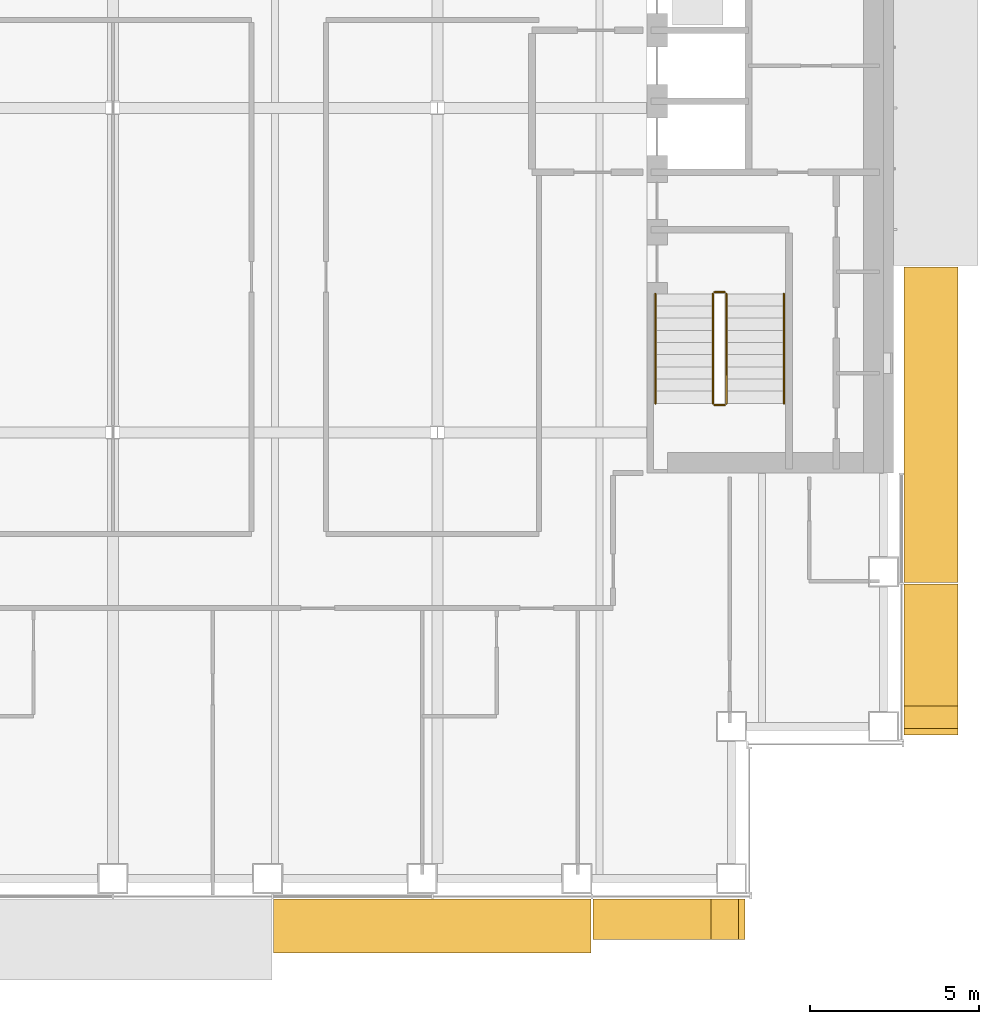
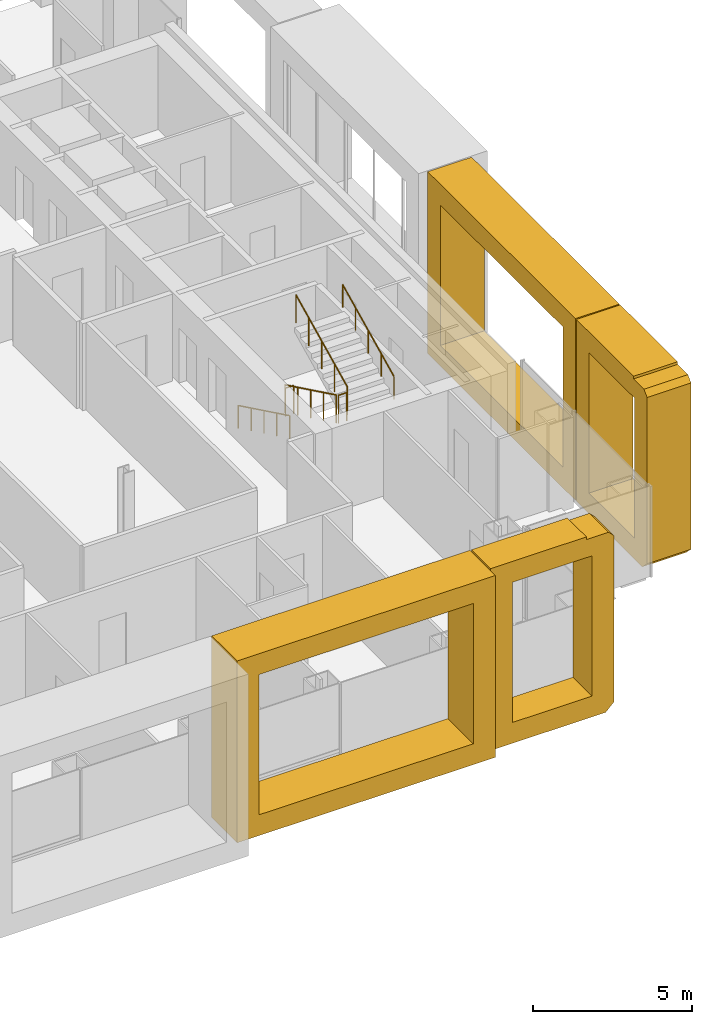
# One storey, part 17 of 20: 6 railings, 4 coverings.
"""IFC4 building model written with IfcOpenShell, lengths in metres."""

from ifc_helpers import new_model, si_unit, direction, frame, origin, origin_2d, place, context, subcontext, project, spatial, polyline, circle, outline, extrude, material, type_object, element, save


model = new_model("IFC4")

# Units and contexts
model_context = context("Model", 3, precision=1e-05, world=origin(), true_north=direction((0.0, 1.0)))
body_context = subcontext(model_context, "Body", "Model", "MODEL_VIEW")
ifc_project = project(units=[si_unit("LENGTHUNIT", "METRE"), si_unit("AREAUNIT", "SQUARE_METRE"), si_unit("VOLUMEUNIT", "CUBIC_METRE"), si_unit("PLANEANGLEUNIT", "RADIAN"), si_unit("MASSUNIT", "GRAM", prefix="KILO")], contexts=[model_context])

# Site, building, storey
site_placement = place(None, origin())
site = spatial("IfcSite", under=ifc_project, at=site_placement, CompositionType="ELEMENT")
building_placement = place(site_placement, origin())
building = spatial("IfcBuilding", under=site, at=building_placement, Name="Cobrizo Arcos Hotel Tower", CompositionType="ELEMENT")
storey_placement = place(building_placement, frame((0.0, 0.0, 110.0)))
storey = spatial("IfcBuildingStorey", under=building, at=storey_placement, Name="L27", CompositionType="ELEMENT", Elevation=110.0)

# Coverings
ifc_material_1 = material(Name="Aluminium 6063-T6 anodised bronze", Category="aluminium")
covering_type_1 = type_object("IfcCoveringType", Name="FIN-F 1200", PredefinedType="CLADDING", material=ifc_material_1)
covering_1_placement = place(storey_placement, frame((14.199951171875, -23.39990234375, 0.0), z_axis=(0.0, -1.0, 0.0), x_axis=(1.0, 0.0, 0.0)))
element("IfcCovering", 1, at=covering_1_placement, inside=storey, type_object=covering_type_1, Name="Fin frame 142", PredefinedType="CLADDING", context=body_context, shape_type="SweptSolid", body=[
    extrude(outline(polyline([(4.5, 6.699951171875), (4.302001953125, 6.89794921875), (3.498046875, 6.89794921875), (3.498046875, 7.0), (0.0, 7.0), (0.0, 0.0), (4.199951171875, 0.0), (4.5, 0.300048828125), (4.5, 6.699951171875)]), holes=[polyline([(3.699951171875, 0.800048828125), (0.800048828125, 0.800048828125), (0.800048828125, 6.199951171875), (3.699951171875, 6.199951171875), (3.699951171875, 0.800048828125)])]), origin(), (0.0, 0.0, 1.0), 1.2001953125),
])
covering_type_2 = type_object("IfcCoveringType", Name="FIN-F 1600", PredefinedType="CLADDING", material=ifc_material_1)
covering_2_placement = place(storey_placement, frame((23.39990234375, -18.550048828125, 0.0), z_axis=(1.0, 0.0, 0.0), x_axis=(0.0, 1.0, 0.0)))
element("IfcCovering", 2, at=covering_2_placement, inside=storey, type_object=covering_type_2, Name="Fin frame 116", PredefinedType="CLADDING", context=body_context, shape_type="SweptSolid", body=[
    extrude(outline(polyline([(4.46240234375, 7.0), (0.85205078125, 7.0), (0.85205078125, 6.89794921875), (0.197998046875, 6.89794921875), (0.0, 6.699951171875), (0.0, 0.300048828125), (0.300048828125, 0.0), (4.46240234375, 0.0), (4.46240234375, 7.0)]), holes=[polyline([(3.66259765625, 0.800048828125), (0.800048828125, 0.800048828125), (0.800048828125, 6.199951171875), (3.66259765625, 6.199951171875), (3.66259765625, 0.800048828125)])]), origin(), (0.0, 0.0, 1.0), 1.60009765625),
])
covering_3_placement = place(storey_placement, frame((23.39990234375, -14.03759765625, 0.0), z_axis=(1.0, 0.0, 0.0), x_axis=(0.0, 1.0, 0.0)))
element("IfcCovering", 3, at=covering_3_placement, inside=storey, type_object=covering_type_2, Name="Fin frame 117", PredefinedType="CLADDING", context=body_context, shape_type="SweptSolid", body=[
    extrude(outline(polyline([(0.0, 7.0), (0.0, 0.0), (9.324951171875, 0.0), (9.324951171875, 7.0), (0.0, 7.0)]), holes=[polyline([(8.52490234375, 0.800048828125), (0.800048828125, 0.800048828125), (0.800048828125, 6.199951171875), (8.52490234375, 6.199951171875), (8.52490234375, 0.800048828125)])]), origin(), (0.0, 0.0, 1.0), 1.60009765625),
])
covering_4_placement = place(storey_placement, frame((4.75, -23.39990234375, 0.0), z_axis=(0.0, -1.0, 0.0), x_axis=(1.0, 0.0, 0.0)))
element("IfcCovering", 4, at=covering_4_placement, inside=storey, type_object=covering_type_2, Name="Fin frame 141", PredefinedType="CLADDING", context=body_context, shape_type="SweptSolid", body=[
    extrude(outline(polyline([(0.0, 7.0), (0.0, 0.0), (9.39990234375, 0.0), (9.39990234375, 7.0), (0.0, 7.0)]), holes=[polyline([(8.60009765625, 0.800048828125), (0.800048828125, 0.800048828125), (0.800048828125, 6.199951171875), (8.60009765625, 6.199951171875), (8.60009765625, 0.800048828125)])]), origin(), (0.0, 0.0, 1.0), 1.60009765625),
])

# Railings
ifc_material_2 = material(Name="Stainless steel railing", Category="steel")
railing_type_1 = type_object("IfcRailingType", Name="Stair guard 1100", PredefinedType="GUARDRAIL", material=ifc_material_2)
railing_1_placement = place(storey_placement, frame((17.75, -5.5, 0.175048828125)))
element("IfcRailing", 5, at=railing_1_placement, inside=storey, type_object=railing_type_1, Name="L27 ST-E stair guard 1", PredefinedType="GUARDRAIL", context=body_context, shape_type="SweptSolid", body=[
    extrude(circle(Radius=0.02392578125, at=origin_2d()), frame((0.0, 0.0, 1.076171875), z_axis=(0.0, -0.899372665325, 0.437182809435), x_axis=(1.0, 0.0, 0.0)), (0.0, 0.0, 1.0), 3.6025390625),
    extrude(circle(Radius=0.02099609375, at=origin_2d()), origin(), (0.0, 0.0, 1.0), 1.052001953125),
    extrude(circle(Radius=0.02099609375, at=origin_2d()), frame((0.0, -0.81005859375, 0.393798828125)), (0.0, 0.0, 1.0), 1.052001953125),
    extrude(circle(Radius=0.02099609375, at=origin_2d()), frame((0.0, -1.6201171875, 0.78759765625)), (0.0, 0.0, 1.0), 1.052001953125),
    extrude(circle(Radius=0.02099609375, at=origin_2d()), frame((0.0, -2.429931640625, 1.18115234375)), (0.0, 0.0, 1.0), 1.052001953125),
    extrude(circle(Radius=0.02099609375, at=origin_2d()), frame((0.0, -3.239990234375, 1.574951171875)), (0.0, 0.0, 1.0), 1.052001953125),
])
railing_2_placement = place(storey_placement, frame((17.800048828125, -8.7900390625, 1.75)))
element("IfcRailing", 6, at=railing_2_placement, inside=storey, type_object=railing_type_1, Name="L27 ST-E stair guard 2", PredefinedType="GUARDRAIL", context=body_context, shape_type="SweptSolid", body=[
    extrude(circle(Radius=0.02392578125, at=origin_2d()), frame((0.0, 0.0, 1.076171875), z_axis=(1.0, 0.0, 0.0), x_axis=(0.0, 1.0, 0.0)), (0.0, 0.0, 1.0), 0.300048828125),
    extrude(circle(Radius=0.02099609375, at=origin_2d()), origin(), (0.0, 0.0, 1.0), 1.052001953125),
    extrude(circle(Radius=0.02099609375, at=origin_2d()), frame((0.300048828125, 0.0, 0.0)), (0.0, 0.0, 1.0), 1.052001953125),
])
railing_3_placement = place(storey_placement, frame((18.14990234375, -8.739990234375, 1.925048828125)))
element("IfcRailing", 7, at=railing_3_placement, inside=storey, type_object=railing_type_1, Name="L27 ST-E stair guard 3", PredefinedType="GUARDRAIL", context=body_context, shape_type="SweptSolid", body=[
    extrude(circle(Radius=0.02392578125, at=origin_2d()), frame((0.0, 0.0, 1.076171875), z_axis=(0.0, 0.899372665325, 0.437182809435), x_axis=(-1.0, 0.0, 0.0)), (0.0, 0.0, 1.0), 3.6025390625),
    extrude(circle(Radius=0.02099609375, at=origin_2d()), origin(), (0.0, 0.0, 1.0), 1.052001953125),
    extrude(circle(Radius=0.02099609375, at=origin_2d()), frame((0.0, 0.81005859375, 0.393798828125)), (0.0, 0.0, 1.0), 1.052001953125),
    extrude(circle(Radius=0.02099609375, at=origin_2d()), frame((0.0, 1.6201171875, 0.78759765625)), (0.0, 0.0, 1.0), 1.052001953125),
    extrude(circle(Radius=0.02099609375, at=origin_2d()), frame((0.0, 2.429931640625, 1.18115234375)), (0.0, 0.0, 1.0), 1.052001953125),
    extrude(circle(Radius=0.02099609375, at=origin_2d()), frame((0.0, 3.239990234375, 1.574951171875)), (0.0, 0.0, 1.0), 1.052001953125),
])
railing_4_placement = place(storey_placement, frame((17.800048828125, -5.449951171875, 0.0)))
element("IfcRailing", 8, at=railing_4_placement, inside=storey, type_object=railing_type_1, Name="L27 ST-E stair guard 4", PredefinedType="GUARDRAIL", context=body_context, shape_type="SweptSolid", body=[
    extrude(circle(Radius=0.02392578125, at=origin_2d()), frame((0.0, 0.0, 1.076171875), z_axis=(1.0, 0.0, 0.0), x_axis=(0.0, 1.0, 0.0)), (0.0, 0.0, 1.0), 0.300048828125),
    extrude(circle(Radius=0.02099609375, at=origin_2d()), origin(), (0.0, 0.0, 1.0), 1.052001953125),
    extrude(circle(Radius=0.02099609375, at=origin_2d()), frame((0.300048828125, 0.0, 0.0)), (0.0, 0.0, 1.0), 1.052001953125),
])
railing_type_2 = type_object("IfcRailingType", Name="Stair handrail", PredefinedType="HANDRAIL", material=ifc_material_2)
railing_5_placement = place(storey_placement, frame((16.050048828125, -5.5, 0.175048828125)))
element("IfcRailing", 9, at=railing_5_placement, inside=storey, type_object=railing_type_2, Name="L27 ST-E stair handrail 1", PredefinedType="HANDRAIL", context=body_context, shape_type="SweptSolid", body=[
    extrude(circle(Radius=0.02392578125, at=origin_2d()), frame((0.0, 0.0, 0.8759765625), z_axis=(0.0, -0.899372665325, 0.437182809435), x_axis=(1.0, 0.0, 0.0)), (0.0, 0.0, 1.0), 3.6025390625),
    extrude(circle(Radius=0.02099609375, at=origin_2d()), origin(), (0.0, 0.0, 1.0), 0.851806640625),
    extrude(circle(Radius=0.02099609375, at=origin_2d()), frame((0.0, -0.81005859375, 0.393798828125)), (0.0, 0.0, 1.0), 0.851806640625),
    extrude(circle(Radius=0.02099609375, at=origin_2d()), frame((0.0, -1.6201171875, 0.78759765625)), (0.0, 0.0, 1.0), 0.851806640625),
    extrude(circle(Radius=0.02099609375, at=origin_2d()), frame((0.0, -2.429931640625, 1.18115234375)), (0.0, 0.0, 1.0), 0.851806640625),
    extrude(circle(Radius=0.02099609375, at=origin_2d()), frame((0.0, -3.239990234375, 1.574951171875)), (0.0, 0.0, 1.0), 0.851806640625),
])
railing_6_placement = place(storey_placement, frame((19.85009765625, -8.739990234375, 1.925048828125)))
element("IfcRailing", 10, at=railing_6_placement, inside=storey, type_object=railing_type_2, Name="L27 ST-E stair handrail 2", PredefinedType="HANDRAIL", context=body_context, shape_type="SweptSolid", body=[
    extrude(circle(Radius=0.02392578125, at=origin_2d()), frame((0.0, 0.0, 0.8759765625), z_axis=(0.0, 0.899372665325, 0.437182809435), x_axis=(-1.0, 0.0, 0.0)), (0.0, 0.0, 1.0), 3.6025390625),
    extrude(circle(Radius=0.02099609375, at=origin_2d()), origin(), (0.0, 0.0, 1.0), 0.851806640625),
    extrude(circle(Radius=0.02099609375, at=origin_2d()), frame((0.0, 0.81005859375, 0.393798828125)), (0.0, 0.0, 1.0), 0.851806640625),
    extrude(circle(Radius=0.02099609375, at=origin_2d()), frame((0.0, 1.6201171875, 0.78759765625)), (0.0, 0.0, 1.0), 0.851806640625),
    extrude(circle(Radius=0.02099609375, at=origin_2d()), frame((0.0, 2.429931640625, 1.18115234375)), (0.0, 0.0, 1.0), 0.851806640625),
    extrude(circle(Radius=0.02099609375, at=origin_2d()), frame((0.0, 3.239990234375, 1.574951171875)), (0.0, 0.0, 1.0), 0.851806640625),
])

save(model, "model.ifc")
